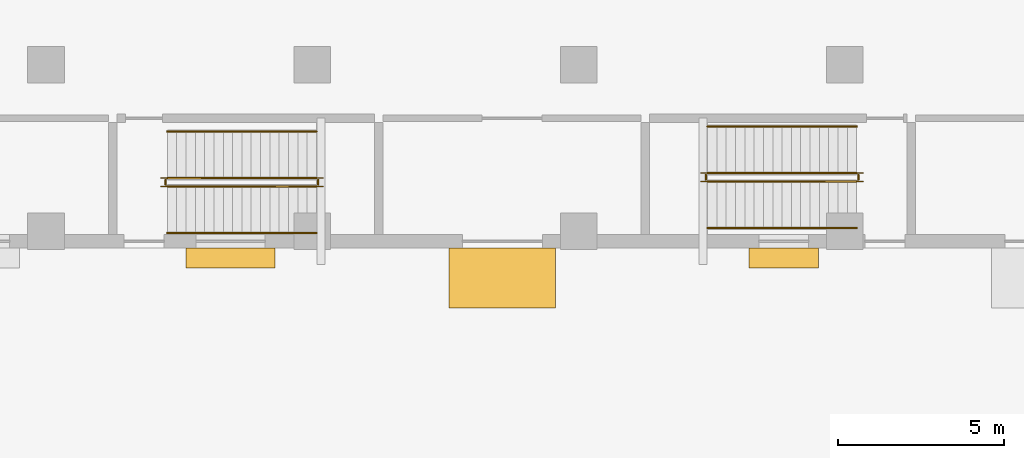
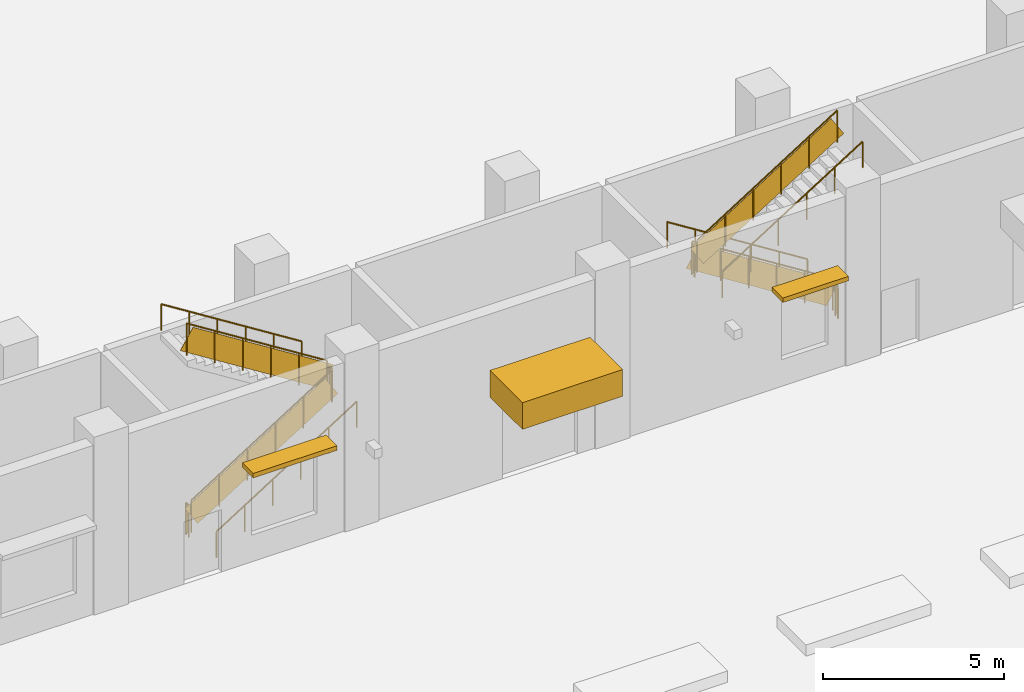
# One storey, part 12 of 18: 12 railings, 3 shading devices.
"""IFC4 building model written with IfcOpenShell, lengths in metres."""

from ifc_helpers import new_model, si_unit, direction, frame, frame_2d, origin, origin_2d, place, context, subcontext, project, spatial, rectangle, circle, extrude, material, layer, layer_set, type_object, element, save


model = new_model("IFC4")

# Units and contexts
model_context = context("Model", 3, precision=1e-05, world=origin(), true_north=direction((0.0, 1.0)))
body_context = subcontext(model_context, "Body", "Model", "MODEL_VIEW")
ifc_project = project(units=[si_unit("LENGTHUNIT", "METRE"), si_unit("AREAUNIT", "SQUARE_METRE"), si_unit("VOLUMEUNIT", "CUBIC_METRE"), si_unit("PLANEANGLEUNIT", "RADIAN"), si_unit("MASSUNIT", "GRAM", prefix="KILO")], contexts=[model_context])

# Site, building, storey
site_placement = place(None, origin())
site = spatial("IfcSite", under=ifc_project, at=site_placement, CompositionType="ELEMENT")
building_placement = place(site_placement, origin())
building = spatial("IfcBuilding", under=site, at=building_placement, Name="Vidyagriha Tower", CompositionType="ELEMENT")
storey_placement = place(building_placement, origin())
storey = spatial("IfcBuildingStorey", under=building, at=storey_placement, Name="L00", CompositionType="ELEMENT", Elevation=0.0)

# Shading devices
ifc_material_1 = material(Name="Precast concrete C40/50 with brick facing", Category="concrete")
ifc_layer_1 = layer(ifc_material_1, 0.14990234375)
ifc_layer_set_1 = layer_set([ifc_layer_1], Name="Precast concrete C40/50 with brick facing")
shading_device_type_1 = type_object("IfcShadingDeviceType", Name="Brick chhajja window hood", PredefinedType="AWNING", material=ifc_layer_set_1)
shading_device_1_placement = place(storey_placement, frame((-8.452392578125, -50.300048828125, 3.300048828125)))
element("IfcShadingDevice", 1, at=shading_device_1_placement, inside=storey, type_object=shading_device_type_1, Name="Window hood L00 R06.18", PredefinedType="AWNING", context=body_context, shape_type="SweptSolid", body=[
    extrude(rectangle(XDim=2.675048828125, YDim=0.60009765625, at=origin_2d()), origin(), (0.0, 0.0, 1.0), 0.14990234375),
])
shading_device_2_placement = place(storey_placement, frame((8.16259765625, -50.300048828125, 3.300048828125)))
element("IfcShadingDevice", 2, at=shading_device_2_placement, inside=storey, type_object=shading_device_type_1, Name="Window hood L00 R06.26", PredefinedType="AWNING", context=body_context, shape_type="SweptSolid", body=[
    extrude(rectangle(XDim=2.094970703125, YDim=0.60009765625, at=origin_2d()), origin(), (0.0, 0.0, 1.0), 0.14990234375),
])
ifc_material_2 = material(Name="Precast concrete C40/50 with brick facing", Category="concrete")
ifc_layer_2 = layer(ifc_material_2, 0.89990234375)
ifc_layer_set_2 = layer_set([ifc_layer_2], Name="Precast concrete C40/50 with brick facing")
shading_device_type_2 = type_object("IfcShadingDeviceType", Name="Brick-faced entrance portal hood", PredefinedType="USERDEFINED", material=ifc_layer_set_2)
shading_device_3_placement = place(storey_placement, frame((-1.889892578125, -50.89990234375, 2.89990234375)))
element("IfcShadingDevice", 3, at=shading_device_3_placement, inside=storey, type_object=shading_device_type_2, Name="Main entrance portal hood E2", ObjectType="PORTAL", PredefinedType="USERDEFINED", context=body_context, shape_type="SweptSolid", body=[
    extrude(rectangle(XDim=3.199951171875, YDim=1.800048828125, at=frame_2d((1.60009765625, 0.0))), origin(), (0.0, 0.0, 1.0), 0.900146484375),
])

# Railings
ifc_material_3 = material(Name="Powder coated ASTM A500 Grade C steel balustrade", Category="steel")
railing_type_1 = type_object("IfcRailingType", Name="Podium Stair Guard 1100", PredefinedType="GUARDRAIL", material=ifc_material_3)
railing_1_placement = place(storey_placement, frame((-10.35498046875, -48.14990234375, 0.176513671875)))
element("IfcRailing", 4, at=railing_1_placement, inside=storey, type_object=railing_type_1, Name="L00 PS3 stair guard 1", PredefinedType="GUARDRAIL", context=body_context, shape_type="SweptSolid", body=[
    extrude(circle(Radius=0.02392578125, at=origin_2d()), frame((0.0, 0.0, 1.076171875), z_axis=(0.845997938375, 0.0, 0.533186166611), x_axis=(0.0, 1.0, 0.0)), (0.0, 0.0, 1.0), 5.29541015625),
    extrude(circle(Radius=0.02099609375, at=origin_2d()), origin(), (0.0, 0.0, 1.0), 1.052001953125),
    extrude(circle(Radius=0.02099609375, at=origin_2d()), frame((0.89599609375, 0.0, 0.564697265625)), (0.0, 0.0, 1.0), 1.052001953125),
    extrude(circle(Radius=0.02099609375, at=origin_2d()), frame((1.7919921875, 0.0, 1.12939453125)), (0.0, 0.0, 1.0), 1.052001953125),
    extrude(circle(Radius=0.02099609375, at=origin_2d()), frame((2.68798828125, 0.0, 1.694091796875)), (0.0, 0.0, 1.0), 1.052001953125),
    extrude(circle(Radius=0.02099609375, at=origin_2d()), frame((3.583984375, 0.0, 2.2587890625)), (0.0, 0.0, 1.0), 1.052001953125),
    extrude(circle(Radius=0.02099609375, at=origin_2d()), frame((4.47998046875, 0.0, 2.823486328125)), (0.0, 0.0, 1.0), 1.052001953125),
    extrude(rectangle(XDim=0.010009765625, YDim=0.76318359375, at=origin_2d()), frame((0.0, 0.0, 0.551025390625), z_axis=(0.845997938375, 0.0, 0.533186166611), x_axis=(0.0, 1.0, 0.0)), (0.0, 0.0, 1.0), 5.29541015625),
])
railing_2_placement = place(storey_placement, frame((-5.824951171875, -48.10009765625, 3.0)))
element("IfcRailing", 5, at=railing_2_placement, inside=storey, type_object=railing_type_1, Name="L00 PS3 stair guard 2", PredefinedType="GUARDRAIL", context=body_context, shape_type="SweptSolid", body=[
    extrude(circle(Radius=0.02392578125, at=origin_2d()), frame((0.0, 0.0, 1.076171875), z_axis=(0.0, 1.0, 0.0), x_axis=(-1.0, 0.0, 0.0)), (0.0, 0.0, 1.0), 0.150146484375),
    extrude(circle(Radius=0.02099609375, at=origin_2d()), origin(), (0.0, 0.0, 1.0), 1.052001953125),
    extrude(circle(Radius=0.02099609375, at=origin_2d()), frame((0.0, 0.150146484375, 0.0)), (0.0, 0.0, 1.0), 1.052001953125),
    extrude(rectangle(XDim=0.010009765625, YDim=0.902099609375, at=origin_2d()), frame((0.0, 0.0, 0.551025390625), z_axis=(0.0, 1.0, 0.0), x_axis=(-1.0, 0.0, 0.0)), (0.0, 0.0, 1.0), 0.150146484375),
])
railing_3_placement = place(storey_placement, frame((-5.875, -47.89990234375, 3.176513671875)))
element("IfcRailing", 6, at=railing_3_placement, inside=storey, type_object=railing_type_1, Name="L00 PS3 stair guard 3", PredefinedType="GUARDRAIL", context=body_context, shape_type="SweptSolid", body=[
    extrude(circle(Radius=0.02392578125, at=origin_2d()), frame((0.0, 0.0, 1.076171875), z_axis=(-0.845997938375, 0.0, 0.533186166611), x_axis=(0.0, -1.0, 0.0)), (0.0, 0.0, 1.0), 5.29541015625),
    extrude(circle(Radius=0.02099609375, at=origin_2d()), origin(), (0.0, 0.0, 1.0), 1.052001953125),
    extrude(circle(Radius=0.02099609375, at=origin_2d()), frame((-0.89599609375, 0.0, 0.564697265625)), (0.0, 0.0, 1.0), 1.052001953125),
    extrude(circle(Radius=0.02099609375, at=origin_2d()), frame((-1.7919921875, 0.0, 1.12939453125)), (0.0, 0.0, 1.0), 1.052001953125),
    extrude(circle(Radius=0.02099609375, at=origin_2d()), frame((-2.68798828125, 0.0, 1.694091796875)), (0.0, 0.0, 1.0), 1.052001953125),
    extrude(circle(Radius=0.02099609375, at=origin_2d()), frame((-3.583984375, 0.0, 2.2587890625)), (0.0, 0.0, 1.0), 1.052001953125),
    extrude(circle(Radius=0.02099609375, at=origin_2d()), frame((-4.47998046875, 0.0, 2.823486328125)), (0.0, 0.0, 1.0), 1.052001953125),
    extrude(rectangle(XDim=0.010009765625, YDim=0.76318359375, at=origin_2d()), frame((0.0, 0.0, 0.551025390625), z_axis=(-0.845997938375, 0.0, 0.533186166611), x_axis=(0.0, -1.0, 0.0)), (0.0, 0.0, 1.0), 5.29541015625),
])
railing_4_placement = place(storey_placement, frame((-10.405029296875, -48.10009765625, 0.0)))
element("IfcRailing", 7, at=railing_4_placement, inside=storey, type_object=railing_type_1, Name="L00 PS3 stair guard 4", PredefinedType="GUARDRAIL", context=body_context, shape_type="SweptSolid", body=[
    extrude(circle(Radius=0.02392578125, at=origin_2d()), frame((0.0, 0.0, 1.076171875), z_axis=(0.0, 1.0, 0.0), x_axis=(-1.0, 0.0, 0.0)), (0.0, 0.0, 1.0), 0.150146484375),
    extrude(circle(Radius=0.02099609375, at=origin_2d()), origin(), (0.0, 0.0, 1.0), 1.052001953125),
    extrude(circle(Radius=0.02099609375, at=origin_2d()), frame((0.0, 0.150146484375, 0.0)), (0.0, 0.0, 1.0), 1.052001953125),
    extrude(rectangle(XDim=0.010009765625, YDim=0.902099609375, at=origin_2d()), frame((0.0, 0.0, 0.551025390625), z_axis=(0.0, 1.0, 0.0), x_axis=(-1.0, 0.0, 0.0)), (0.0, 0.0, 1.0), 0.150146484375),
])
railing_5_placement = place(storey_placement, frame((10.35498046875, -47.75, 0.176513671875)))
element("IfcRailing", 8, at=railing_5_placement, inside=storey, type_object=railing_type_1, Name="L00 PS4 stair guard 1", PredefinedType="GUARDRAIL", context=body_context, shape_type="SweptSolid", body=[
    extrude(circle(Radius=0.02392578125, at=origin_2d()), frame((0.0, 0.0, 1.076171875), z_axis=(-0.845997938375, 0.0, 0.533186166611), x_axis=(0.0, -1.0, 0.0)), (0.0, 0.0, 1.0), 5.29541015625),
    extrude(circle(Radius=0.02099609375, at=origin_2d()), origin(), (0.0, 0.0, 1.0), 1.052001953125),
    extrude(circle(Radius=0.02099609375, at=origin_2d()), frame((-0.89599609375, 0.0, 0.564697265625)), (0.0, 0.0, 1.0), 1.052001953125),
    extrude(circle(Radius=0.02099609375, at=origin_2d()), frame((-1.7919921875, 0.0, 1.12939453125)), (0.0, 0.0, 1.0), 1.052001953125),
    extrude(circle(Radius=0.02099609375, at=origin_2d()), frame((-2.68798828125, 0.0, 1.694091796875)), (0.0, 0.0, 1.0), 1.052001953125),
    extrude(circle(Radius=0.02099609375, at=origin_2d()), frame((-3.583984375, 0.0, 2.2587890625)), (0.0, 0.0, 1.0), 1.052001953125),
    extrude(circle(Radius=0.02099609375, at=origin_2d()), frame((-4.47998046875, 0.0, 2.823486328125)), (0.0, 0.0, 1.0), 1.052001953125),
    extrude(rectangle(XDim=0.010009765625, YDim=0.76318359375, at=origin_2d()), frame((0.0, 0.0, 0.551025390625), z_axis=(-0.845997938375, 0.0, 0.533186166611), x_axis=(0.0, -1.0, 0.0)), (0.0, 0.0, 1.0), 5.29541015625),
])
railing_6_placement = place(storey_placement, frame((5.824951171875, -47.800048828125, 3.0)))
element("IfcRailing", 9, at=railing_6_placement, inside=storey, type_object=railing_type_1, Name="L00 PS4 stair guard 2", PredefinedType="GUARDRAIL", context=body_context, shape_type="SweptSolid", body=[
    extrude(circle(Radius=0.02392578125, at=origin_2d()), frame((0.0, 0.0, 1.076171875), z_axis=(0.0, -1.0, 0.0), x_axis=(1.0, 0.0, 0.0)), (0.0, 0.0, 1.0), 0.14990234375),
    extrude(circle(Radius=0.02099609375, at=origin_2d()), origin(), (0.0, 0.0, 1.0), 1.052001953125),
    extrude(circle(Radius=0.02099609375, at=origin_2d()), frame((0.0, -0.14990234375, 0.0)), (0.0, 0.0, 1.0), 1.052001953125),
    extrude(rectangle(XDim=0.010009765625, YDim=0.902099609375, at=origin_2d()), frame((0.0, 0.0, 0.551025390625), z_axis=(0.0, -1.0, 0.0), x_axis=(1.0, 0.0, 0.0)), (0.0, 0.0, 1.0), 0.14990234375),
])
railing_7_placement = place(storey_placement, frame((5.875, -48.0, 3.176513671875)))
element("IfcRailing", 10, at=railing_7_placement, inside=storey, type_object=railing_type_1, Name="L00 PS4 stair guard 3", PredefinedType="GUARDRAIL", context=body_context, shape_type="SweptSolid", body=[
    extrude(circle(Radius=0.02392578125, at=origin_2d()), frame((0.0, 0.0, 1.076171875), z_axis=(0.845997938375, 0.0, 0.533186166611), x_axis=(0.0, 1.0, 0.0)), (0.0, 0.0, 1.0), 5.29541015625),
    extrude(circle(Radius=0.02099609375, at=origin_2d()), origin(), (0.0, 0.0, 1.0), 1.052001953125),
    extrude(circle(Radius=0.02099609375, at=origin_2d()), frame((0.89599609375, 0.0, 0.564697265625)), (0.0, 0.0, 1.0), 1.052001953125),
    extrude(circle(Radius=0.02099609375, at=origin_2d()), frame((1.7919921875, 0.0, 1.12939453125)), (0.0, 0.0, 1.0), 1.052001953125),
    extrude(circle(Radius=0.02099609375, at=origin_2d()), frame((2.68798828125, 0.0, 1.694091796875)), (0.0, 0.0, 1.0), 1.052001953125),
    extrude(circle(Radius=0.02099609375, at=origin_2d()), frame((3.583984375, 0.0, 2.2587890625)), (0.0, 0.0, 1.0), 1.052001953125),
    extrude(circle(Radius=0.02099609375, at=origin_2d()), frame((4.47998046875, 0.0, 2.823486328125)), (0.0, 0.0, 1.0), 1.052001953125),
    extrude(rectangle(XDim=0.010009765625, YDim=0.76318359375, at=origin_2d()), frame((0.0, 0.0, 0.551025390625), z_axis=(0.845997938375, 0.0, 0.533186166611), x_axis=(0.0, 1.0, 0.0)), (0.0, 0.0, 1.0), 5.29541015625),
])
railing_8_placement = place(storey_placement, frame((10.405029296875, -47.800048828125, 0.0)))
element("IfcRailing", 11, at=railing_8_placement, inside=storey, type_object=railing_type_1, Name="L00 PS4 stair guard 4", PredefinedType="GUARDRAIL", context=body_context, shape_type="SweptSolid", body=[
    extrude(circle(Radius=0.02392578125, at=origin_2d()), frame((0.0, 0.0, 1.076171875), z_axis=(0.0, -1.0, 0.0), x_axis=(1.0, 0.0, 0.0)), (0.0, 0.0, 1.0), 0.14990234375),
    extrude(circle(Radius=0.02099609375, at=origin_2d()), origin(), (0.0, 0.0, 1.0), 1.052001953125),
    extrude(circle(Radius=0.02099609375, at=origin_2d()), frame((0.0, -0.14990234375, 0.0)), (0.0, 0.0, 1.0), 1.052001953125),
    extrude(rectangle(XDim=0.010009765625, YDim=0.902099609375, at=origin_2d()), frame((0.0, 0.0, 0.551025390625), z_axis=(0.0, -1.0, 0.0), x_axis=(1.0, 0.0, 0.0)), (0.0, 0.0, 1.0), 0.14990234375),
])
ifc_material_4 = material(Name="Powder coated ASTM A500 Grade C steel handrail", Category="steel")
railing_type_2 = type_object("IfcRailingType", Name="Podium Stair Handrail 900", PredefinedType="HANDRAIL", material=ifc_material_4)
railing_9_placement = place(storey_placement, frame((-10.35498046875, -49.550048828125, 0.176513671875)))
element("IfcRailing", 12, at=railing_9_placement, inside=storey, type_object=railing_type_2, Name="L00 PS3 stair handrail 1", PredefinedType="HANDRAIL", context=body_context, shape_type="SweptSolid", body=[
    extrude(circle(Radius=0.02392578125, at=origin_2d()), frame((0.0, 0.0, 0.8759765625), z_axis=(0.845997938375, 0.0, 0.533186166611), x_axis=(0.0, 1.0, 0.0)), (0.0, 0.0, 1.0), 5.29541015625),
    extrude(circle(Radius=0.02099609375, at=origin_2d()), origin(), (0.0, 0.0, 1.0), 0.851806640625),
    extrude(circle(Radius=0.02099609375, at=origin_2d()), frame((0.89599609375, 0.0, 0.564697265625)), (0.0, 0.0, 1.0), 0.851806640625),
    extrude(circle(Radius=0.02099609375, at=origin_2d()), frame((1.7919921875, 0.0, 1.12939453125)), (0.0, 0.0, 1.0), 0.851806640625),
    extrude(circle(Radius=0.02099609375, at=origin_2d()), frame((2.68798828125, 0.0, 1.694091796875)), (0.0, 0.0, 1.0), 0.851806640625),
    extrude(circle(Radius=0.02099609375, at=origin_2d()), frame((3.583984375, 0.0, 2.2587890625)), (0.0, 0.0, 1.0), 0.851806640625),
    extrude(circle(Radius=0.02099609375, at=origin_2d()), frame((4.47998046875, 0.0, 2.823486328125)), (0.0, 0.0, 1.0), 0.851806640625),
])
for number, where, name in (
    (13, (-5.875, -46.5, 3.176513671875), "L00 PS3 stair handrail 2"),
    (14, (10.35498046875, -46.35009765625, 0.176513671875), "L00 PS4 stair handrail 1"),
):
    element("IfcRailing", number, at=place(storey_placement, frame(where)), inside=storey, type_object=railing_type_2, Name=name, PredefinedType="HANDRAIL", context=body_context, shape_type="SweptSolid", body=[
        extrude(circle(Radius=0.02392578125, at=origin_2d()), frame((0.0, 0.0, 0.8759765625), z_axis=(-0.845997938375, 0.0, 0.533186166611), x_axis=(0.0, -1.0, 0.0)), (0.0, 0.0, 1.0), 5.29541015625),
        extrude(circle(Radius=0.02099609375, at=origin_2d()), origin(), (0.0, 0.0, 1.0), 0.851806640625),
        extrude(circle(Radius=0.02099609375, at=origin_2d()), frame((-0.89599609375, 0.0, 0.564697265625)), (0.0, 0.0, 1.0), 0.851806640625),
        extrude(circle(Radius=0.02099609375, at=origin_2d()), frame((-1.7919921875, 0.0, 1.12939453125)), (0.0, 0.0, 1.0), 0.851806640625),
        extrude(circle(Radius=0.02099609375, at=origin_2d()), frame((-2.68798828125, 0.0, 1.694091796875)), (0.0, 0.0, 1.0), 0.851806640625),
        extrude(circle(Radius=0.02099609375, at=origin_2d()), frame((-3.583984375, 0.0, 2.2587890625)), (0.0, 0.0, 1.0), 0.851806640625),
        extrude(circle(Radius=0.02099609375, at=origin_2d()), frame((-4.47998046875, 0.0, 2.823486328125)), (0.0, 0.0, 1.0), 0.851806640625),
    ])
railing_10_placement = place(storey_placement, frame((5.875, -49.39990234375, 3.176513671875)))
element("IfcRailing", 15, at=railing_10_placement, inside=storey, type_object=railing_type_2, Name="L00 PS4 stair handrail 2", PredefinedType="HANDRAIL", context=body_context, shape_type="SweptSolid", body=[
    extrude(circle(Radius=0.02392578125, at=origin_2d()), frame((0.0, 0.0, 0.8759765625), z_axis=(0.845997938375, 0.0, 0.533186166611), x_axis=(0.0, 1.0, 0.0)), (0.0, 0.0, 1.0), 5.29541015625),
    extrude(circle(Radius=0.02099609375, at=origin_2d()), origin(), (0.0, 0.0, 1.0), 0.851806640625),
    extrude(circle(Radius=0.02099609375, at=origin_2d()), frame((0.89599609375, 0.0, 0.564697265625)), (0.0, 0.0, 1.0), 0.851806640625),
    extrude(circle(Radius=0.02099609375, at=origin_2d()), frame((1.7919921875, 0.0, 1.12939453125)), (0.0, 0.0, 1.0), 0.851806640625),
    extrude(circle(Radius=0.02099609375, at=origin_2d()), frame((2.68798828125, 0.0, 1.694091796875)), (0.0, 0.0, 1.0), 0.851806640625),
    extrude(circle(Radius=0.02099609375, at=origin_2d()), frame((3.583984375, 0.0, 2.2587890625)), (0.0, 0.0, 1.0), 0.851806640625),
    extrude(circle(Radius=0.02099609375, at=origin_2d()), frame((4.47998046875, 0.0, 2.823486328125)), (0.0, 0.0, 1.0), 0.851806640625),
])

save(model, "model.ifc")
